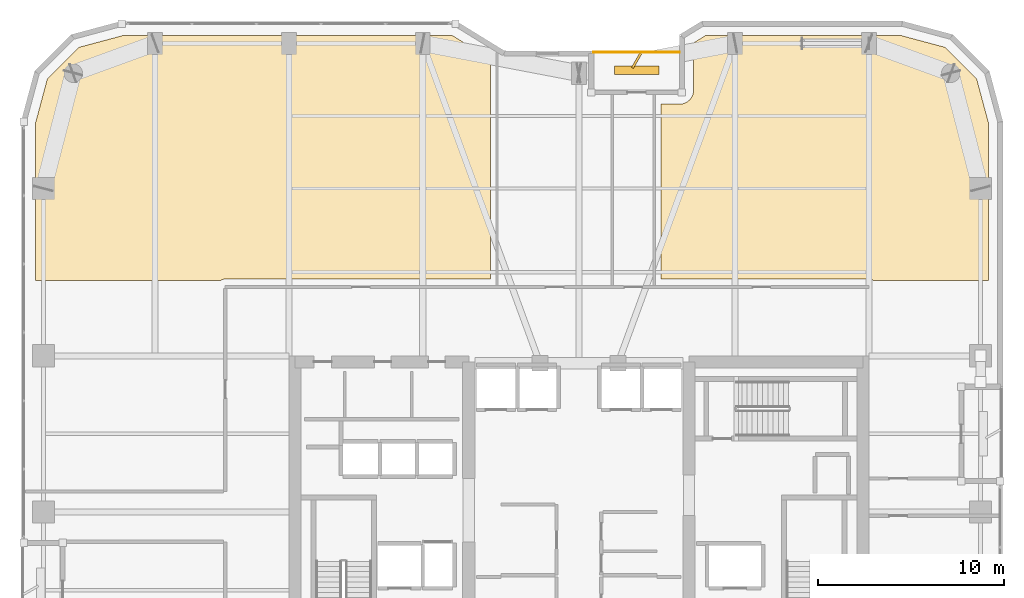
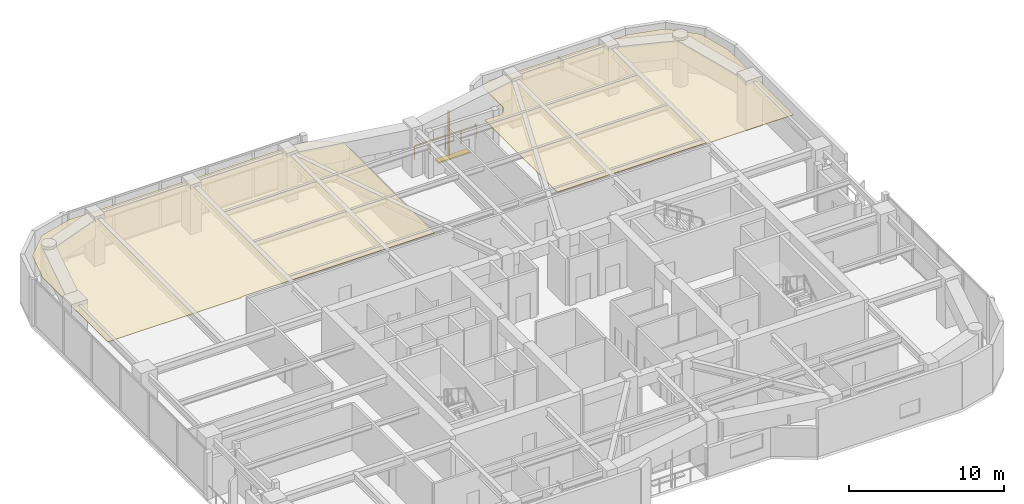
# One storey, part 30 of 30: 2 coverings, 2 shading devices, 1 railing.
"""IFC4 building model written with IfcOpenShell, lengths in metres."""

from ifc_helpers import new_model, si_unit, direction, frame, origin, origin_2d, place, context, subcontext, project, spatial, polyline, rectangle, outline, extrude, material, layer, layer_set, type_object, element, save


model = new_model("IFC4")

# Units and contexts
model_context = context("Model", 3, precision=1e-05, world=origin(), true_north=direction((0.0, 1.0)))
body_context = subcontext(model_context, "Body", "Model", "MODEL_VIEW")
ifc_project = project(units=[si_unit("LENGTHUNIT", "METRE"), si_unit("AREAUNIT", "SQUARE_METRE"), si_unit("VOLUMEUNIT", "CUBIC_METRE"), si_unit("PLANEANGLEUNIT", "RADIAN"), si_unit("MASSUNIT", "GRAM", prefix="KILO")], contexts=[model_context])

# Site, building, storey
site_placement = place(None, origin())
site = spatial("IfcSite", under=ifc_project, at=site_placement, CompositionType="ELEMENT")
building_placement = place(site_placement, origin())
building = spatial("IfcBuilding", under=site, at=building_placement, Name="Kiyonajd Concourse Tower", CompositionType="ELEMENT")
storey_placement = place(building_placement, frame((0.0, 0.0, 201.89990234375)))
storey = spatial("IfcBuildingStorey", under=building, at=storey_placement, Name="L51", CompositionType="ELEMENT", Elevation=201.89990234375)

# Coverings
ifc_material_1 = material(Name="Natural Oak Acoustic Timber Veneer", Category="wood")
ifc_layer = layer(ifc_material_1, 0.0400390625)
ifc_layer_set = layer_set([ifc_layer], Name="Natural Oak Acoustic Timber Veneer")
covering_type = type_object("IfcCoveringType", Name="CV-CLG-ACST", PredefinedType="CEILING", material=ifc_layer_set)
covering_1_placement = place(storey_placement, frame((0.0, 0.0, 3.5)))
element("IfcCovering", 1, at=covering_1_placement, inside=storey, type_object=covering_type, Name="L51-47 Room Acoustic Ceiling", PredefinedType="CEILING", context=body_context, shape_type="SweptSolid", body=[
    extrude(outline(polyline([(21.097900390625, 60.986083984375), (23.5009765625, 61.6298828125), (41.181884765625, 61.6298828125), (43.239990234375, 60.363037109375), (43.239990234375, 48.530029296875), (28.97509765625, 48.530029296875), (28.844970703125, 48.510009765625), (28.781982421875, 48.48388671875), (28.72705078125, 48.449951171875), (18.77001953125, 48.449951171875), (18.77001953125, 56.89892578125), (19.4140625, 59.302001953125), (21.097900390625, 60.986083984375)])), origin(), (0.0, 0.0, 1.0), 0.0400390625),
])
covering_2_placement = place(storey_placement, frame((0.0, 0.0, 3.5)))
element("IfcCovering", 2, at=covering_2_placement, inside=storey, type_object=covering_type, Name="L51-50 Room Acoustic Ceiling", PredefinedType="CEILING", context=body_context, shape_type="SweptSolid", body=[
    extrude(outline(polyline([(53.532958984375, 57.94189453125), (53.639892578125, 57.968994140625), (53.72802734375, 58.00390625), (53.839111328125, 58.068115234375), (53.95703125, 58.16796875), (54.031982421875, 58.260986328125), (54.095947265625, 58.3720703125), (54.131103515625, 58.4599609375), (54.157958984375, 58.56689453125), (54.16796875, 58.658935546875), (54.169921875, 61.23095703125), (54.818115234375, 61.6298828125), (65.299072265625, 61.6298828125), (67.701904296875, 60.986083984375), (69.385986328125, 59.302001953125), (70.030029296875, 56.89892578125), (70.030029296875, 48.449951171875), (63.847900390625, 48.449951171875), (63.79296875, 48.48388671875), (63.72998046875, 48.510009765625), (63.60009765625, 48.530029296875), (52.419921875, 48.530029296875), (52.419921875, 57.930908203125), (53.44189453125, 57.931884765625), (53.532958984375, 57.94189453125)])), origin(), (0.0, 0.0, 1.0), 0.0400390625),
])

# Railing
ifc_material_2 = material(Name="Thermally Broken Anodised Aluminium", Category="aluminium")
railing_type = type_object("IfcRailingType", Name="RL-GRD-LOG", PredefinedType="GUARDRAIL", material=ifc_material_2)
railing_placement = place(storey_placement, frame((53.39990234375, 60.719970703125, 0.0)))
element("IfcRailing", 3, at=railing_placement, inside=storey, type_object=railing_type, Name="L51 Engawa Loggia Perimeter Guard LOG-N", PredefinedType="GUARDRAIL", context=body_context, shape_type="SweptSolid", body=[
    extrude(rectangle(XDim=0.048095703125, YDim=0.048095703125, at=origin_2d()), frame((0.0, 0.0, 1.076171875), z_axis=(-1.0, 0.0, 0.0), x_axis=(0.0, -1.0, 0.0)), (0.0, 0.0, 1.0), 4.599853515625),
    extrude(rectangle(XDim=0.0419921875, YDim=0.0419921875, at=origin_2d()), origin(), (0.0, 0.0, 1.0), 1.052001953125),
    extrude(rectangle(XDim=0.0419921875, YDim=0.0419921875, at=origin_2d()), frame((-1.14990234375, 0.0, 0.0)), (0.0, 0.0, 1.0), 1.052001953125),
    extrude(rectangle(XDim=0.0419921875, YDim=0.0419921875, at=origin_2d()), frame((-2.2998046875, 0.0, 0.0)), (0.0, 0.0, 1.0), 1.052001953125),
    extrude(rectangle(XDim=0.0419921875, YDim=0.0419921875, at=origin_2d()), frame((-3.449951171875, 0.0, 0.0)), (0.0, 0.0, 1.0), 1.052001953125),
    extrude(rectangle(XDim=0.0419921875, YDim=0.0419921875, at=origin_2d()), frame((-4.599853515625, 0.0, 0.0)), (0.0, 0.0, 1.0), 1.052001953125),
])

# Shading devices
ifc_material_3 = material(Name="Precast concrete C50/60", Category="concrete")
shading_device_type_1 = type_object("IfcShadingDeviceType", Name="SH-FIN-900", PredefinedType="USERDEFINED", material=ifc_material_3)
shading_device_1_placement = place(storey_placement, frame((51.10009765625, 60.27001953125, 0.0), z_axis=(0.0, 0.0, 1.0), x_axis=(0.5, 0.866025403784, 0.0)))
element("IfcShadingDevice", 4, at=shading_device_1_placement, inside=storey, type_object=shading_device_type_1, Name="L51 Angled Koshi Solar Fin LOG-N", ObjectType="FIN", PredefinedType="USERDEFINED", context=body_context, shape_type="SweptSolid", body=[
    extrude(rectangle(XDim=0.89990234375, YDim=0.1201171875, at=origin_2d()), origin(), (0.0, 0.0, 1.0), 3.0),
])
shading_device_type_2 = type_object("IfcShadingDeviceType", Name="SH-LVR-600", PredefinedType="JALOUSIE", material=ifc_material_2)
shading_device_2_placement = place(storey_placement, frame((51.10009765625, 59.75, 0.0), z_axis=(0.0, 0.0, 1.0), x_axis=(1.0, 0.0, 0.0)))
element("IfcShadingDevice", 5, at=shading_device_2_placement, inside=storey, type_object=shading_device_type_2, Name="L51 Loggia Threshold Louver LOG-N", PredefinedType="JALOUSIE", context=body_context, shape_type="SweptSolid", body=[
    extrude(rectangle(XDim=2.39990234375, YDim=0.449951171875, at=origin_2d()), origin(), (0.0, 0.0, 1.0), 0.10009765625),
])

save(model, "model.ifc")
